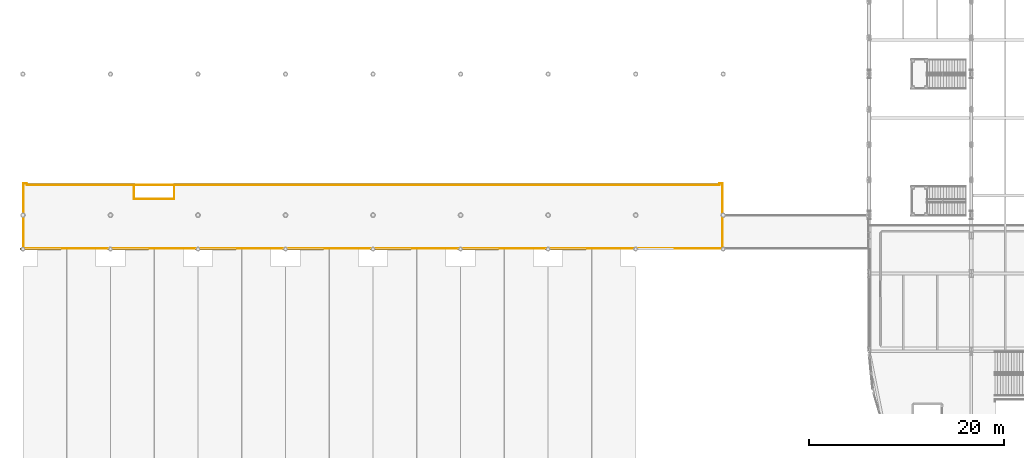
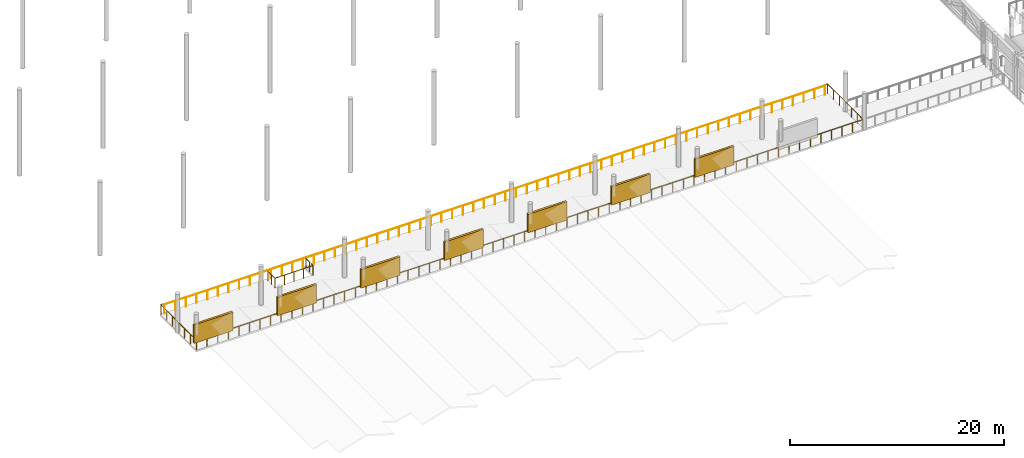
# One storey, part 118 of 143: 7 shading devices, 4 railings.
"""IFC4 building model written with IfcOpenShell, lengths in metres."""

from ifc_helpers import new_model, si_unit, direction, frame, origin, origin_2d, place, context, subcontext, project, spatial, rectangle, circle, extrude, material, type_object, element, save


model = new_model("IFC4")

# Units and contexts
model_context = context("Model", 3, precision=1e-05, world=origin(), true_north=direction((0.0, 1.0)))
body_context = subcontext(model_context, "Body", "Model", "MODEL_VIEW")
ifc_project = project(units=[si_unit("LENGTHUNIT", "METRE"), si_unit("AREAUNIT", "SQUARE_METRE"), si_unit("VOLUMEUNIT", "CUBIC_METRE"), si_unit("PLANEANGLEUNIT", "RADIAN"), si_unit("MASSUNIT", "GRAM", prefix="KILO")], contexts=[model_context])

# Site, building, storey
site_placement = place(None, origin())
site = spatial("IfcSite", under=ifc_project, at=site_placement, CompositionType="ELEMENT")
building_placement = place(site_placement, origin())
building = spatial("IfcBuilding", under=site, at=building_placement, Name="Marlcrest Central Station", CompositionType="ELEMENT")
storey_placement = place(building_placement, frame((0.0, 0.0, 4.800048828125)))
storey = spatial("IfcBuildingStorey", under=building, at=storey_placement, Name="L01", CompositionType="ELEMENT", Elevation=4.800048828125)

# Railings
ifc_material_1 = material(Name="Stainless steel and laminated glass concourse balustrade", Category="steel")
railing_type = type_object("IfcRailingType", Name="GR-02", PredefinedType="BALUSTRADE", material=ifc_material_1)
railing_1_placement = place(storey_placement, frame((0.39990234375, 39.60009765625, 0.0)))
element("IfcRailing", 1, at=railing_1_placement, inside=storey, type_object=railing_type, Name="grd-L01-0004", PredefinedType="BALUSTRADE", context=body_context, shape_type="SweptSolid", body=[
    extrude(circle(Radius=0.02392578125, at=origin_2d()), frame((0.0, 0.0, 1.09619140625), z_axis=(1.0, 0.0, 0.0), x_axis=(0.0, 1.0, 0.0)), (0.0, 0.0, 1.0), 71.2001953125),
    extrude(circle(Radius=0.02099609375, at=origin_2d()), origin(), (0.0, 0.0, 1.0), 1.072021484375),
    extrude(circle(Radius=0.02099609375, at=origin_2d()), frame((1.1484375, 0.0, 0.0)), (0.0, 0.0, 1.0), 1.072021484375),
    extrude(circle(Radius=0.02099609375, at=origin_2d()), frame((2.296875, 0.0, 0.0)), (0.0, 0.0, 1.0), 1.072021484375),
    extrude(circle(Radius=0.02099609375, at=origin_2d()), frame((3.445068359375, 0.0, 0.0)), (0.0, 0.0, 1.0), 1.072021484375),
    extrude(circle(Radius=0.02099609375, at=origin_2d()), frame((4.593505859375, 0.0, 0.0)), (0.0, 0.0, 1.0), 1.072021484375),
    extrude(circle(Radius=0.02099609375, at=origin_2d()), frame((5.741943359375, 0.0, 0.0)), (0.0, 0.0, 1.0), 1.072021484375),
    extrude(circle(Radius=0.02099609375, at=origin_2d()), frame((6.890380859375, 0.0, 0.0)), (0.0, 0.0, 1.0), 1.072021484375),
    extrude(circle(Radius=0.02099609375, at=origin_2d()), frame((8.038818359375, 0.0, 0.0)), (0.0, 0.0, 1.0), 1.072021484375),
    extrude(circle(Radius=0.02099609375, at=origin_2d()), frame((9.18701171875, 0.0, 0.0)), (0.0, 0.0, 1.0), 1.072021484375),
    extrude(circle(Radius=0.02099609375, at=origin_2d()), frame((10.33544921875, 0.0, 0.0)), (0.0, 0.0, 1.0), 1.072021484375),
    extrude(circle(Radius=0.02099609375, at=origin_2d()), frame((11.48388671875, 0.0, 0.0)), (0.0, 0.0, 1.0), 1.072021484375),
    extrude(circle(Radius=0.02099609375, at=origin_2d()), frame((12.63232421875, 0.0, 0.0)), (0.0, 0.0, 1.0), 1.072021484375),
    extrude(circle(Radius=0.02099609375, at=origin_2d()), frame((13.78076171875, 0.0, 0.0)), (0.0, 0.0, 1.0), 1.072021484375),
    extrude(circle(Radius=0.02099609375, at=origin_2d()), frame((14.928955078125, 0.0, 0.0)), (0.0, 0.0, 1.0), 1.072021484375),
    extrude(circle(Radius=0.02099609375, at=origin_2d()), frame((16.077392578125, 0.0, 0.0)), (0.0, 0.0, 1.0), 1.072021484375),
    extrude(circle(Radius=0.02099609375, at=origin_2d()), frame((17.225830078125, 0.0, 0.0)), (0.0, 0.0, 1.0), 1.072021484375),
    extrude(circle(Radius=0.02099609375, at=origin_2d()), frame((18.374267578125, 0.0, 0.0)), (0.0, 0.0, 1.0), 1.072021484375),
    extrude(circle(Radius=0.02099609375, at=origin_2d()), frame((19.522705078125, 0.0, 0.0)), (0.0, 0.0, 1.0), 1.072021484375),
    extrude(circle(Radius=0.02099609375, at=origin_2d()), frame((20.671142578125, 0.0, 0.0)), (0.0, 0.0, 1.0), 1.072021484375),
    extrude(circle(Radius=0.02099609375, at=origin_2d()), frame((21.8193359375, 0.0, 0.0)), (0.0, 0.0, 1.0), 1.072021484375),
    extrude(circle(Radius=0.02099609375, at=origin_2d()), frame((22.9677734375, 0.0, 0.0)), (0.0, 0.0, 1.0), 1.072021484375),
    extrude(circle(Radius=0.02099609375, at=origin_2d()), frame((24.1162109375, 0.0, 0.0)), (0.0, 0.0, 1.0), 1.072021484375),
    extrude(circle(Radius=0.02099609375, at=origin_2d()), frame((25.2646484375, 0.0, 0.0)), (0.0, 0.0, 1.0), 1.072021484375),
    extrude(circle(Radius=0.02099609375, at=origin_2d()), frame((26.4130859375, 0.0, 0.0)), (0.0, 0.0, 1.0), 1.072021484375),
    extrude(circle(Radius=0.02099609375, at=origin_2d()), frame((27.561279296875, 0.0, 0.0)), (0.0, 0.0, 1.0), 1.072021484375),
    extrude(circle(Radius=0.02099609375, at=origin_2d()), frame((28.709716796875, 0.0, 0.0)), (0.0, 0.0, 1.0), 1.072021484375),
    extrude(circle(Radius=0.02099609375, at=origin_2d()), frame((29.858154296875, 0.0, 0.0)), (0.0, 0.0, 1.0), 1.072021484375),
    extrude(circle(Radius=0.02099609375, at=origin_2d()), frame((31.006591796875, 0.0, 0.0)), (0.0, 0.0, 1.0), 1.072021484375),
    extrude(circle(Radius=0.02099609375, at=origin_2d()), frame((32.155029296875, 0.0, 0.0)), (0.0, 0.0, 1.0), 1.072021484375),
    extrude(circle(Radius=0.02099609375, at=origin_2d()), frame((33.30322265625, 0.0, 0.0)), (0.0, 0.0, 1.0), 1.072021484375),
    extrude(circle(Radius=0.02099609375, at=origin_2d()), frame((34.45166015625, 0.0, 0.0)), (0.0, 0.0, 1.0), 1.072021484375),
    extrude(circle(Radius=0.02099609375, at=origin_2d()), frame((35.60009765625, 0.0, 0.0)), (0.0, 0.0, 1.0), 1.072021484375),
    extrude(circle(Radius=0.02099609375, at=origin_2d()), frame((36.74853515625, 0.0, 0.0)), (0.0, 0.0, 1.0), 1.072021484375),
    extrude(circle(Radius=0.02099609375, at=origin_2d()), frame((37.89697265625, 0.0, 0.0)), (0.0, 0.0, 1.0), 1.072021484375),
    extrude(circle(Radius=0.02099609375, at=origin_2d()), frame((39.045166015625, 0.0, 0.0)), (0.0, 0.0, 1.0), 1.072021484375),
    extrude(circle(Radius=0.02099609375, at=origin_2d()), frame((40.193603515625, 0.0, 0.0)), (0.0, 0.0, 1.0), 1.072021484375),
    extrude(circle(Radius=0.02099609375, at=origin_2d()), frame((41.342041015625, 0.0, 0.0)), (0.0, 0.0, 1.0), 1.072021484375),
    extrude(circle(Radius=0.02099609375, at=origin_2d()), frame((42.490478515625, 0.0, 0.0)), (0.0, 0.0, 1.0), 1.072021484375),
    extrude(circle(Radius=0.02099609375, at=origin_2d()), frame((43.638916015625, 0.0, 0.0)), (0.0, 0.0, 1.0), 1.072021484375),
    extrude(circle(Radius=0.02099609375, at=origin_2d()), frame((44.787109375, 0.0, 0.0)), (0.0, 0.0, 1.0), 1.072021484375),
    extrude(circle(Radius=0.02099609375, at=origin_2d()), frame((45.935546875, 0.0, 0.0)), (0.0, 0.0, 1.0), 1.072021484375),
    extrude(circle(Radius=0.02099609375, at=origin_2d()), frame((47.083984375, 0.0, 0.0)), (0.0, 0.0, 1.0), 1.072021484375),
    extrude(circle(Radius=0.02099609375, at=origin_2d()), frame((48.232421875, 0.0, 0.0)), (0.0, 0.0, 1.0), 1.072021484375),
    extrude(circle(Radius=0.02099609375, at=origin_2d()), frame((49.380859375, 0.0, 0.0)), (0.0, 0.0, 1.0), 1.072021484375),
    extrude(circle(Radius=0.02099609375, at=origin_2d()), frame((50.529052734375, 0.0, 0.0)), (0.0, 0.0, 1.0), 1.072021484375),
    extrude(circle(Radius=0.02099609375, at=origin_2d()), frame((51.677490234375, 0.0, 0.0)), (0.0, 0.0, 1.0), 1.072021484375),
    extrude(circle(Radius=0.02099609375, at=origin_2d()), frame((52.825927734375, 0.0, 0.0)), (0.0, 0.0, 1.0), 1.072021484375),
    extrude(circle(Radius=0.02099609375, at=origin_2d()), frame((53.974365234375, 0.0, 0.0)), (0.0, 0.0, 1.0), 1.072021484375),
    extrude(circle(Radius=0.02099609375, at=origin_2d()), frame((55.122802734375, 0.0, 0.0)), (0.0, 0.0, 1.0), 1.072021484375),
    extrude(circle(Radius=0.02099609375, at=origin_2d()), frame((56.271240234375, 0.0, 0.0)), (0.0, 0.0, 1.0), 1.072021484375),
    extrude(circle(Radius=0.02099609375, at=origin_2d()), frame((57.41943359375, 0.0, 0.0)), (0.0, 0.0, 1.0), 1.072021484375),
    extrude(circle(Radius=0.02099609375, at=origin_2d()), frame((58.56787109375, 0.0, 0.0)), (0.0, 0.0, 1.0), 1.072021484375),
    extrude(circle(Radius=0.02099609375, at=origin_2d()), frame((59.71630859375, 0.0, 0.0)), (0.0, 0.0, 1.0), 1.072021484375),
    extrude(circle(Radius=0.02099609375, at=origin_2d()), frame((60.86474609375, 0.0, 0.0)), (0.0, 0.0, 1.0), 1.072021484375),
    extrude(circle(Radius=0.02099609375, at=origin_2d()), frame((62.01318359375, 0.0, 0.0)), (0.0, 0.0, 1.0), 1.072021484375),
    extrude(circle(Radius=0.02099609375, at=origin_2d()), frame((63.161376953125, 0.0, 0.0)), (0.0, 0.0, 1.0), 1.072021484375),
    extrude(circle(Radius=0.02099609375, at=origin_2d()), frame((64.309814453125, 0.0, 0.0)), (0.0, 0.0, 1.0), 1.072021484375),
    extrude(circle(Radius=0.02099609375, at=origin_2d()), frame((65.458251953125, 0.0, 0.0)), (0.0, 0.0, 1.0), 1.072021484375),
    extrude(circle(Radius=0.02099609375, at=origin_2d()), frame((66.606689453125, 0.0, 0.0)), (0.0, 0.0, 1.0), 1.072021484375),
    extrude(circle(Radius=0.02099609375, at=origin_2d()), frame((67.755126953125, 0.0, 0.0)), (0.0, 0.0, 1.0), 1.072021484375),
    extrude(circle(Radius=0.02099609375, at=origin_2d()), frame((68.9033203125, 0.0, 0.0)), (0.0, 0.0, 1.0), 1.072021484375),
    extrude(circle(Radius=0.02099609375, at=origin_2d()), frame((70.0517578125, 0.0, 0.0)), (0.0, 0.0, 1.0), 1.072021484375),
    extrude(circle(Radius=0.02099609375, at=origin_2d()), frame((71.2001953125, 0.0, 0.0)), (0.0, 0.0, 1.0), 1.072021484375),
])
railing_2_placement = place(storey_placement, frame((0.06005859375, 33.06005859375, 0.0)))
element("IfcRailing", 2, at=railing_2_placement, inside=storey, type_object=railing_type, Name="hr-L01-00389", PredefinedType="BALUSTRADE", context=body_context, shape_type="SweptSolid", body=[
    extrude(circle(Radius=0.02392578125, at=origin_2d()), frame((0.0, 0.0, 1.09619140625), z_axis=(0.0, 1.0, 0.0), x_axis=(-1.0, 0.0, 0.0)), (0.0, 0.0, 1.0), 6.679931640625),
    extrude(circle(Radius=0.02392578125, at=origin_2d()), frame((0.0, 6.679931640625, 1.09619140625), z_axis=(1.0, 0.0, 0.0), x_axis=(0.0, 1.0, 0.0)), (0.0, 0.0, 1.0), 0.33984375),
    extrude(circle(Radius=0.02099609375, at=origin_2d()), origin(), (0.0, 0.0, 1.0), 1.072021484375),
    extrude(circle(Radius=0.02099609375, at=origin_2d()), frame((0.0, 1.11328125, 0.0)), (0.0, 0.0, 1.0), 1.072021484375),
    extrude(circle(Radius=0.02099609375, at=origin_2d()), frame((0.0, 2.2265625, 0.0)), (0.0, 0.0, 1.0), 1.072021484375),
    extrude(circle(Radius=0.02099609375, at=origin_2d()), frame((0.0, 3.33984375, 0.0)), (0.0, 0.0, 1.0), 1.072021484375),
    extrude(circle(Radius=0.02099609375, at=origin_2d()), frame((0.0, 4.453369140625, 0.0)), (0.0, 0.0, 1.0), 1.072021484375),
    extrude(circle(Radius=0.02099609375, at=origin_2d()), frame((0.0, 5.566650390625, 0.0)), (0.0, 0.0, 1.0), 1.072021484375),
    extrude(circle(Radius=0.02099609375, at=origin_2d()), frame((0.0, 6.679931640625, 0.0)), (0.0, 0.0, 1.0), 1.072021484375),
    extrude(circle(Radius=0.02099609375, at=origin_2d()), frame((0.33984375, 6.679931640625, 0.0)), (0.0, 0.0, 1.0), 1.072021484375),
])
railing_3_placement = place(storey_placement, frame((11.43994140625, 39.4599609375, 0.0)))
element("IfcRailing", 3, at=railing_3_placement, inside=storey, type_object=railing_type, Name="hr-L01-00390", PredefinedType="BALUSTRADE", context=body_context, shape_type="SweptSolid", body=[
    extrude(circle(Radius=0.02392578125, at=origin_2d()), frame((0.0, 0.0, 1.09619140625), z_axis=(0.0, -1.0, 0.0), x_axis=(1.0, 0.0, 0.0)), (0.0, 0.0, 1.0), 1.320068359375),
    extrude(circle(Radius=0.02392578125, at=origin_2d()), frame((0.0, -1.320068359375, 1.09619140625), z_axis=(1.0, 0.0, 0.0), x_axis=(0.0, 1.0, 0.0)), (0.0, 0.0, 1.0), 4.1201171875),
    extrude(circle(Radius=0.02392578125, at=origin_2d()), frame((4.1201171875, -1.320068359375, 1.09619140625), z_axis=(0.0, 1.0, 0.0), x_axis=(-1.0, 0.0, 0.0)), (0.0, 0.0, 1.0), 1.320068359375),
    extrude(circle(Radius=0.02099609375, at=origin_2d()), origin(), (0.0, 0.0, 1.0), 1.072021484375),
    extrude(circle(Radius=0.02099609375, at=origin_2d()), frame((0.0, -0.66015625, 0.0)), (0.0, 0.0, 1.0), 1.072021484375),
    extrude(circle(Radius=0.02099609375, at=origin_2d()), frame((0.0, -1.320068359375, 0.0)), (0.0, 0.0, 1.0), 1.072021484375),
    extrude(circle(Radius=0.02099609375, at=origin_2d()), frame((1.030029296875, -1.320068359375, 0.0)), (0.0, 0.0, 1.0), 1.072021484375),
    extrude(circle(Radius=0.02099609375, at=origin_2d()), frame((2.06005859375, -1.320068359375, 0.0)), (0.0, 0.0, 1.0), 1.072021484375),
    extrude(circle(Radius=0.02099609375, at=origin_2d()), frame((3.090087890625, -1.320068359375, 0.0)), (0.0, 0.0, 1.0), 1.072021484375),
    extrude(circle(Radius=0.02099609375, at=origin_2d()), frame((4.1201171875, -1.320068359375, 0.0)), (0.0, 0.0, 1.0), 1.072021484375),
    extrude(circle(Radius=0.02099609375, at=origin_2d()), frame((4.1201171875, -0.66015625, 0.0)), (0.0, 0.0, 1.0), 1.072021484375),
    extrude(circle(Radius=0.02099609375, at=origin_2d()), frame((4.1201171875, 0.0, 0.0)), (0.0, 0.0, 1.0), 1.072021484375),
])
railing_4_placement = place(storey_placement, frame((71.60009765625, 39.739990234375, 0.0)))
element("IfcRailing", 4, at=railing_4_placement, inside=storey, type_object=railing_type, Name="hr-L01-00391", PredefinedType="BALUSTRADE", context=body_context, shape_type="SweptSolid", body=[
    extrude(circle(Radius=0.02392578125, at=origin_2d()), frame((0.0, 0.0, 1.09619140625), z_axis=(1.0, 0.0, 0.0), x_axis=(0.0, 1.0, 0.0)), (0.0, 0.0, 1.0), 0.33984375),
    extrude(circle(Radius=0.02392578125, at=origin_2d()), frame((0.33984375, 0.0, 1.09619140625), z_axis=(0.0, -1.0, 0.0), x_axis=(1.0, 0.0, 0.0)), (0.0, 0.0, 1.0), 6.679931640625),
    extrude(circle(Radius=0.02392578125, at=origin_2d()), frame((0.33984375, -6.679931640625, 1.09619140625), z_axis=(-1.0, 0.0, 0.0), x_axis=(0.0, -1.0, 0.0)), (0.0, 0.0, 1.0), 71.8798828125),
    extrude(circle(Radius=0.02099609375, at=origin_2d()), origin(), (0.0, 0.0, 1.0), 1.072021484375),
    extrude(circle(Radius=0.02099609375, at=origin_2d()), frame((0.33984375, 0.0, 0.0)), (0.0, 0.0, 1.0), 1.072021484375),
    extrude(circle(Radius=0.02099609375, at=origin_2d()), frame((0.33984375, -1.11328125, 0.0)), (0.0, 0.0, 1.0), 1.072021484375),
    extrude(circle(Radius=0.02099609375, at=origin_2d()), frame((0.33984375, -2.2265625, 0.0)), (0.0, 0.0, 1.0), 1.072021484375),
    extrude(circle(Radius=0.02099609375, at=origin_2d()), frame((0.33984375, -3.33984375, 0.0)), (0.0, 0.0, 1.0), 1.072021484375),
    extrude(circle(Radius=0.02099609375, at=origin_2d()), frame((0.33984375, -4.453369140625, 0.0)), (0.0, 0.0, 1.0), 1.072021484375),
    extrude(circle(Radius=0.02099609375, at=origin_2d()), frame((0.33984375, -5.566650390625, 0.0)), (0.0, 0.0, 1.0), 1.072021484375),
    extrude(circle(Radius=0.02099609375, at=origin_2d()), frame((0.33984375, -6.679931640625, 0.0)), (0.0, 0.0, 1.0), 1.072021484375),
    extrude(circle(Radius=0.02099609375, at=origin_2d()), frame((-0.801025390625, -6.679931640625, 0.0)), (0.0, 0.0, 1.0), 1.072021484375),
    extrude(circle(Radius=0.02099609375, at=origin_2d()), frame((-1.942138671875, -6.679931640625, 0.0)), (0.0, 0.0, 1.0), 1.072021484375),
    extrude(circle(Radius=0.02099609375, at=origin_2d()), frame((-3.0830078125, -6.679931640625, 0.0)), (0.0, 0.0, 1.0), 1.072021484375),
    extrude(circle(Radius=0.02099609375, at=origin_2d()), frame((-4.223876953125, -6.679931640625, 0.0)), (0.0, 0.0, 1.0), 1.072021484375),
    extrude(circle(Radius=0.02099609375, at=origin_2d()), frame((-5.364990234375, -6.679931640625, 0.0)), (0.0, 0.0, 1.0), 1.072021484375),
    extrude(circle(Radius=0.02099609375, at=origin_2d()), frame((-6.505859375, -6.679931640625, 0.0)), (0.0, 0.0, 1.0), 1.072021484375),
    extrude(circle(Radius=0.02099609375, at=origin_2d()), frame((-7.646728515625, -6.679931640625, 0.0)), (0.0, 0.0, 1.0), 1.072021484375),
    extrude(circle(Radius=0.02099609375, at=origin_2d()), frame((-8.787841796875, -6.679931640625, 0.0)), (0.0, 0.0, 1.0), 1.072021484375),
    extrude(circle(Radius=0.02099609375, at=origin_2d()), frame((-9.9287109375, -6.679931640625, 0.0)), (0.0, 0.0, 1.0), 1.072021484375),
    extrude(circle(Radius=0.02099609375, at=origin_2d()), frame((-11.069580078125, -6.679931640625, 0.0)), (0.0, 0.0, 1.0), 1.072021484375),
    extrude(circle(Radius=0.02099609375, at=origin_2d()), frame((-12.210693359375, -6.679931640625, 0.0)), (0.0, 0.0, 1.0), 1.072021484375),
    extrude(circle(Radius=0.02099609375, at=origin_2d()), frame((-13.3515625, -6.679931640625, 0.0)), (0.0, 0.0, 1.0), 1.072021484375),
    extrude(circle(Radius=0.02099609375, at=origin_2d()), frame((-14.492431640625, -6.679931640625, 0.0)), (0.0, 0.0, 1.0), 1.072021484375),
    extrude(circle(Radius=0.02099609375, at=origin_2d()), frame((-15.633544921875, -6.679931640625, 0.0)), (0.0, 0.0, 1.0), 1.072021484375),
    extrude(circle(Radius=0.02099609375, at=origin_2d()), frame((-16.7744140625, -6.679931640625, 0.0)), (0.0, 0.0, 1.0), 1.072021484375),
    extrude(circle(Radius=0.02099609375, at=origin_2d()), frame((-17.915283203125, -6.679931640625, 0.0)), (0.0, 0.0, 1.0), 1.072021484375),
    extrude(circle(Radius=0.02099609375, at=origin_2d()), frame((-19.056396484375, -6.679931640625, 0.0)), (0.0, 0.0, 1.0), 1.072021484375),
    extrude(circle(Radius=0.02099609375, at=origin_2d()), frame((-20.197265625, -6.679931640625, 0.0)), (0.0, 0.0, 1.0), 1.072021484375),
    extrude(circle(Radius=0.02099609375, at=origin_2d()), frame((-21.338134765625, -6.679931640625, 0.0)), (0.0, 0.0, 1.0), 1.072021484375),
    extrude(circle(Radius=0.02099609375, at=origin_2d()), frame((-22.479248046875, -6.679931640625, 0.0)), (0.0, 0.0, 1.0), 1.072021484375),
    extrude(circle(Radius=0.02099609375, at=origin_2d()), frame((-23.6201171875, -6.679931640625, 0.0)), (0.0, 0.0, 1.0), 1.072021484375),
    extrude(circle(Radius=0.02099609375, at=origin_2d()), frame((-24.760986328125, -6.679931640625, 0.0)), (0.0, 0.0, 1.0), 1.072021484375),
    extrude(circle(Radius=0.02099609375, at=origin_2d()), frame((-25.902099609375, -6.679931640625, 0.0)), (0.0, 0.0, 1.0), 1.072021484375),
    extrude(circle(Radius=0.02099609375, at=origin_2d()), frame((-27.04296875, -6.679931640625, 0.0)), (0.0, 0.0, 1.0), 1.072021484375),
    extrude(circle(Radius=0.02099609375, at=origin_2d()), frame((-28.183837890625, -6.679931640625, 0.0)), (0.0, 0.0, 1.0), 1.072021484375),
    extrude(circle(Radius=0.02099609375, at=origin_2d()), frame((-29.324951171875, -6.679931640625, 0.0)), (0.0, 0.0, 1.0), 1.072021484375),
    extrude(circle(Radius=0.02099609375, at=origin_2d()), frame((-30.4658203125, -6.679931640625, 0.0)), (0.0, 0.0, 1.0), 1.072021484375),
    extrude(circle(Radius=0.02099609375, at=origin_2d()), frame((-31.606689453125, -6.679931640625, 0.0)), (0.0, 0.0, 1.0), 1.072021484375),
    extrude(circle(Radius=0.02099609375, at=origin_2d()), frame((-32.747802734375, -6.679931640625, 0.0)), (0.0, 0.0, 1.0), 1.072021484375),
    extrude(circle(Radius=0.02099609375, at=origin_2d()), frame((-33.888671875, -6.679931640625, 0.0)), (0.0, 0.0, 1.0), 1.072021484375),
    extrude(circle(Radius=0.02099609375, at=origin_2d()), frame((-35.029541015625, -6.679931640625, 0.0)), (0.0, 0.0, 1.0), 1.072021484375),
    extrude(circle(Radius=0.02099609375, at=origin_2d()), frame((-36.170654296875, -6.679931640625, 0.0)), (0.0, 0.0, 1.0), 1.072021484375),
    extrude(circle(Radius=0.02099609375, at=origin_2d()), frame((-37.3115234375, -6.679931640625, 0.0)), (0.0, 0.0, 1.0), 1.072021484375),
    extrude(circle(Radius=0.02099609375, at=origin_2d()), frame((-38.452392578125, -6.679931640625, 0.0)), (0.0, 0.0, 1.0), 1.072021484375),
    extrude(circle(Radius=0.02099609375, at=origin_2d()), frame((-39.593505859375, -6.679931640625, 0.0)), (0.0, 0.0, 1.0), 1.072021484375),
    extrude(circle(Radius=0.02099609375, at=origin_2d()), frame((-40.734375, -6.679931640625, 0.0)), (0.0, 0.0, 1.0), 1.072021484375),
    extrude(circle(Radius=0.02099609375, at=origin_2d()), frame((-41.875244140625, -6.679931640625, 0.0)), (0.0, 0.0, 1.0), 1.072021484375),
    extrude(circle(Radius=0.02099609375, at=origin_2d()), frame((-43.016357421875, -6.679931640625, 0.0)), (0.0, 0.0, 1.0), 1.072021484375),
    extrude(circle(Radius=0.02099609375, at=origin_2d()), frame((-44.1572265625, -6.679931640625, 0.0)), (0.0, 0.0, 1.0), 1.072021484375),
    extrude(circle(Radius=0.02099609375, at=origin_2d()), frame((-45.298095703125, -6.679931640625, 0.0)), (0.0, 0.0, 1.0), 1.072021484375),
    extrude(circle(Radius=0.02099609375, at=origin_2d()), frame((-46.439208984375, -6.679931640625, 0.0)), (0.0, 0.0, 1.0), 1.072021484375),
    extrude(circle(Radius=0.02099609375, at=origin_2d()), frame((-47.580078125, -6.679931640625, 0.0)), (0.0, 0.0, 1.0), 1.072021484375),
    extrude(circle(Radius=0.02099609375, at=origin_2d()), frame((-48.720947265625, -6.679931640625, 0.0)), (0.0, 0.0, 1.0), 1.072021484375),
    extrude(circle(Radius=0.02099609375, at=origin_2d()), frame((-49.862060546875, -6.679931640625, 0.0)), (0.0, 0.0, 1.0), 1.072021484375),
    extrude(circle(Radius=0.02099609375, at=origin_2d()), frame((-51.0029296875, -6.679931640625, 0.0)), (0.0, 0.0, 1.0), 1.072021484375),
    extrude(circle(Radius=0.02099609375, at=origin_2d()), frame((-52.143798828125, -6.679931640625, 0.0)), (0.0, 0.0, 1.0), 1.072021484375),
    extrude(circle(Radius=0.02099609375, at=origin_2d()), frame((-53.284912109375, -6.679931640625, 0.0)), (0.0, 0.0, 1.0), 1.072021484375),
    extrude(circle(Radius=0.02099609375, at=origin_2d()), frame((-54.42578125, -6.679931640625, 0.0)), (0.0, 0.0, 1.0), 1.072021484375),
    extrude(circle(Radius=0.02099609375, at=origin_2d()), frame((-55.566650390625, -6.679931640625, 0.0)), (0.0, 0.0, 1.0), 1.072021484375),
    extrude(circle(Radius=0.02099609375, at=origin_2d()), frame((-56.707763671875, -6.679931640625, 0.0)), (0.0, 0.0, 1.0), 1.072021484375),
    extrude(circle(Radius=0.02099609375, at=origin_2d()), frame((-57.8486328125, -6.679931640625, 0.0)), (0.0, 0.0, 1.0), 1.072021484375),
    extrude(circle(Radius=0.02099609375, at=origin_2d()), frame((-58.989501953125, -6.679931640625, 0.0)), (0.0, 0.0, 1.0), 1.072021484375),
    extrude(circle(Radius=0.02099609375, at=origin_2d()), frame((-60.130615234375, -6.679931640625, 0.0)), (0.0, 0.0, 1.0), 1.072021484375),
    extrude(circle(Radius=0.02099609375, at=origin_2d()), frame((-61.271484375, -6.679931640625, 0.0)), (0.0, 0.0, 1.0), 1.072021484375),
    extrude(circle(Radius=0.02099609375, at=origin_2d()), frame((-62.412353515625, -6.679931640625, 0.0)), (0.0, 0.0, 1.0), 1.072021484375),
    extrude(circle(Radius=0.02099609375, at=origin_2d()), frame((-63.553466796875, -6.679931640625, 0.0)), (0.0, 0.0, 1.0), 1.072021484375),
    extrude(circle(Radius=0.02099609375, at=origin_2d()), frame((-64.6943359375, -6.679931640625, 0.0)), (0.0, 0.0, 1.0), 1.072021484375),
    extrude(circle(Radius=0.02099609375, at=origin_2d()), frame((-65.835205078125, -6.679931640625, 0.0)), (0.0, 0.0, 1.0), 1.072021484375),
    extrude(circle(Radius=0.02099609375, at=origin_2d()), frame((-66.976318359375, -6.679931640625, 0.0)), (0.0, 0.0, 1.0), 1.072021484375),
    extrude(circle(Radius=0.02099609375, at=origin_2d()), frame((-68.1171875, -6.679931640625, 0.0)), (0.0, 0.0, 1.0), 1.072021484375),
    extrude(circle(Radius=0.02099609375, at=origin_2d()), frame((-69.258056640625, -6.679931640625, 0.0)), (0.0, 0.0, 1.0), 1.072021484375),
    extrude(circle(Radius=0.02099609375, at=origin_2d()), frame((-70.399169921875, -6.679931640625, 0.0)), (0.0, 0.0, 1.0), 1.072021484375),
    extrude(circle(Radius=0.02099609375, at=origin_2d()), frame((-71.5400390625, -6.679931640625, 0.0)), (0.0, 0.0, 1.0), 1.072021484375),
])

# Shading devices
ifc_material_2 = material(Name="Bronze-anodised aluminium storm louvre", Category="aluminium")
shading_device_type = type_object("IfcShadingDeviceType", Name="SD-JL2", PredefinedType="JALOUSIE", material=ifc_material_2)
for number, where, z_axis, x_axis, name in (
    (5, (1.800048828125, 33.0, 0.949951171875), (0.0, 0.0, 1.0), (1.0, 0.0, 0.0), "shd-L01-0064"),
    (6, (10.800048828125, 33.0, 0.949951171875), (0.0, 0.0, 1.0), (1.0, 0.0, 0.0), "shd-L01-0066"),
    (7, (19.800048828125, 33.0, 0.949951171875), (0.0, 0.0, 1.0), (1.0, 0.0, 0.0), "shd-L01-0068"),
    (8, (28.800048828125, 33.0, 0.949951171875), (0.0, 0.0, 1.0), (1.0, 0.0, 0.0), "shd-L01-0070"),
    (9, (37.800048828125, 33.0, 0.949951171875), (0.0, 0.0, 1.0), (1.0, 0.0, 0.0), "shd-L01-0072"),
    (10, (46.800048828125, 33.0, 0.949951171875), (0.0, 0.0, 1.0), (1.0, 0.0, 0.0), "shd-L01-0074"),
    (11, (55.800048828125, 33.0, 0.949951171875), (0.0, 0.0, 1.0), (1.0, 0.0, 0.0), "shd-L01-0076"),
):
    element("IfcShadingDevice", number, at=place(storey_placement, frame(where, z_axis=z_axis, x_axis=x_axis)), inside=storey, type_object=shading_device_type, Name=name, PredefinedType="JALOUSIE", context=body_context, shape_type="SweptSolid", body=[
        extrude(rectangle(XDim=4.199951171875, YDim=0.219970703125, at=origin_2d()), origin(), (0.0, 0.0, 1.0), 2.10009765625),
    ])

save(model, "model.ifc")
